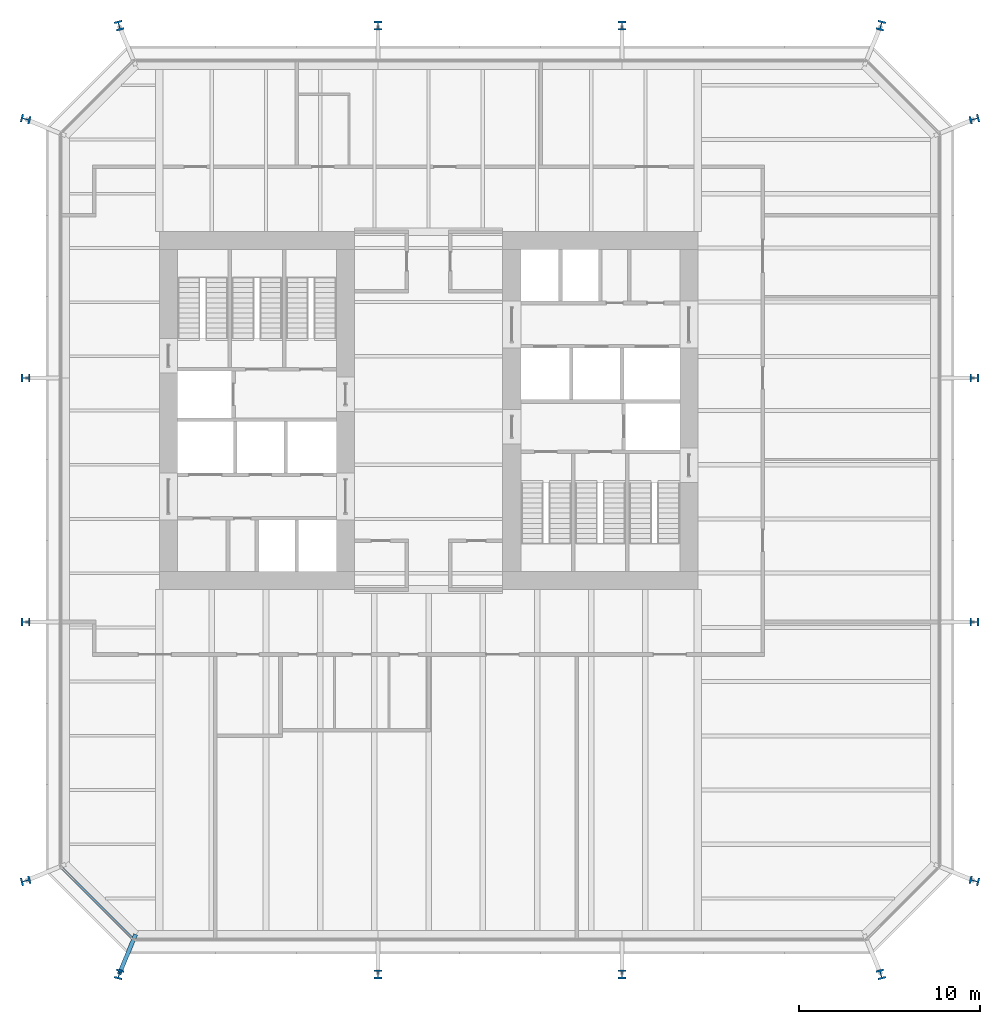
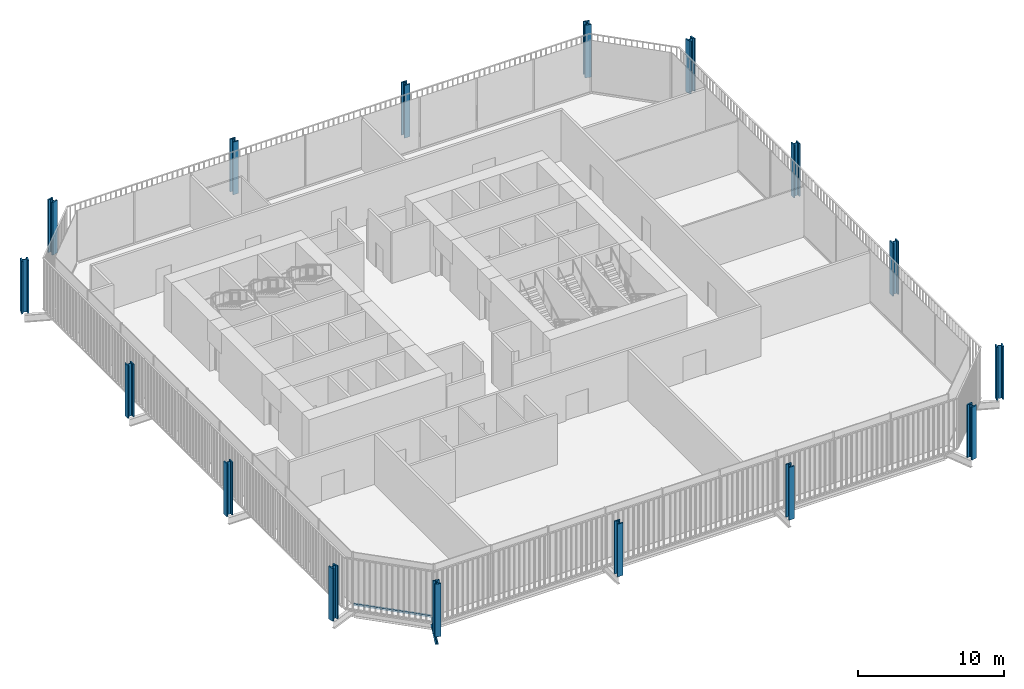
# One storey, part 1 of 20: 16 columns, 1 beam, 1 member, 1 element without a shape of its own.
"""IFC4 building model written with IfcOpenShell, lengths in metres."""

from ifc_helpers import new_model, si_unit, direction, frame, origin, origin_2d, place, context, subcontext, project, spatial, rectangle, i_section, extrude, material, layer, layer_set, material_profile, profile_set, type_object, element, aggregate, save


model = new_model("IFC4")

# Units and contexts
model_context = context("Model", 3, precision=1e-05, world=origin(), true_north=direction((0.0, 1.0)))
body_context = subcontext(model_context, "Body", "Model", "MODEL_VIEW")
ifc_project = project(units=[si_unit("LENGTHUNIT", "METRE"), si_unit("AREAUNIT", "SQUARE_METRE"), si_unit("VOLUMEUNIT", "CUBIC_METRE"), si_unit("PLANEANGLEUNIT", "RADIAN"), si_unit("MASSUNIT", "GRAM", prefix="KILO")], contexts=[model_context])

# Site, building, storey
site_placement = place(None, origin())
site = spatial("IfcSite", under=ifc_project, at=site_placement, CompositionType="ELEMENT")
building_placement = place(site_placement, origin())
building = spatial("IfcBuilding", under=site, at=building_placement, Name="Millrace Tower", CompositionType="ELEMENT")
storey_placement = place(building_placement, frame((0.0, 0.0, 86.39990234375)))
storey = spatial("IfcBuildingStorey", under=building, at=storey_placement, Name="L19", CompositionType="ELEMENT", Elevation=86.39990234375)

# Columns
ifc_material_1 = material(Name="Steel ASTM A913 Grade 65", Category="steel")
ifc_material_profile_1 = material_profile(ifc_material_1, i_section(OverallWidth=0.431884765625, OverallDepth=0.497802734375, WebThickness=0.0556640625, FlangeThickness=0.0888671875, FilletRadius=0.01513671875, at=origin_2d()))
ifc_profile_set_1 = profile_set([ifc_material_profile_1], Name="Steel ASTM A913 Grade 65")
column_type_1 = type_object("IfcColumnType", Name="Exoskeleton column W14x500", PredefinedType="COLUMN", material=ifc_profile_set_1)
for number, where, z_axis, x_axis, name in (
    (1, (-2.800048828125, -31.199951171875, 0.0), (0.0, 0.0, 1.0), (1.0, 0.0, 0.0), "COL-B-L19-X03"),
    (2, (10.699951171875, -31.199951171875, 0.0), (0.0, 0.0, 1.0), (1.0, 0.0, 0.0), "COL-B-L19-X04"),
    (3, (30.199951171875, -11.699951171875, 0.0), (0.0, 0.0, 1.0), (0.0, 1.0, 0.0), "COL-B-L19-X07"),
    (4, (30.199951171875, 1.800048828125, 0.0), (0.0, 0.0, 1.0), (0.0, 1.0, 0.0), "COL-B-L19-X08"),
    (5, (10.699951171875, 21.300048828125, 0.0), (0.0, 0.0, 1.0), (-1.0, 0.0, 0.0), "COL-B-L19-X11"),
    (6, (-2.800048828125, 21.300048828125, 0.0), (0.0, 0.0, 1.0), (-1.0, 0.0, 0.0), "COL-B-L19-X12"),
    (7, (-22.300048828125, 1.800048828125, 0.0), (0.0, 0.0, 1.0), (0.0, -1.0, 0.0), "COL-B-L19-X15"),
    (8, (-22.300048828125, -11.699951171875, 0.0), (0.0, 0.0, 1.0), (0.0, -1.0, 0.0), "COL-B-L19-X16"),
):
    element("IfcColumn", number, at=place(storey_placement, frame(where, z_axis=z_axis, x_axis=x_axis)), inside=storey, type_object=column_type_1, Name=name, PredefinedType="COLUMN", context=body_context, shape_type="SweptSolid", body=[
        extrude(i_section(OverallWidth=0.431884765625, OverallDepth=0.497802734375, WebThickness=0.0556640625, FlangeThickness=0.0888671875, FilletRadius=0.01513671875, at=origin_2d()), origin(), (0.0, 0.0, 1.0), 4.400146484375),
    ])
ifc_material_2 = material(Name="Steel ASTM A913 Grade 65", Category="steel")
ifc_material_profile_2 = material_profile(ifc_material_2, i_section(OverallWidth=0.44189453125, OverallDepth=0.53076171875, WebThickness=0.06591796875, FlangeThickness=0.105712890625, FilletRadius=0.01513671875, at=origin_2d()))
ifc_profile_set_2 = profile_set([ifc_material_profile_2], Name="Steel ASTM A913 Grade 65")
column_type_2 = type_object("IfcColumnType", Name="Exoskeleton column W14x605", PredefinedType="COLUMN", material=ifc_profile_set_2)
for number, where, z_axis, x_axis, name in (
    (9, (-22.300048828125, -26.0283203125, 0.0), (0.0, 0.0, 1.0), (0.256346878353, -0.966584852953, 0.0), "COL-B-L19-X01"),
    (10, (-17.12841796875, -31.199951171875, 0.0), (0.0, 0.0, 1.0), (0.966584852953, -0.256346878353, 0.0), "COL-B-L19-X02"),
    (11, (25.0283203125, -31.199951171875, 0.0), (0.0, 0.0, 1.0), (0.966584852953, 0.256346878353, 0.0), "COL-B-L19-X05"),
    (12, (30.199951171875, -26.0283203125, 0.0), (0.0, 0.0, 1.0), (0.256346878353, 0.966584852953, 0.0), "COL-B-L19-X06"),
    (13, (30.199951171875, 16.12841796875, 0.0), (0.0, 0.0, 1.0), (-0.256346878353, 0.966584852953, 0.0), "COL-B-L19-X09"),
    (14, (25.0283203125, 21.300048828125, 0.0), (0.0, 0.0, 1.0), (-0.966584852953, 0.256346878353, 0.0), "COL-B-L19-X10"),
    (15, (-17.12841796875, 21.300048828125, 0.0), (0.0, 0.0, 1.0), (-0.966584852953, -0.256346878353, 0.0), "COL-B-L19-X13"),
    (16, (-22.300048828125, 16.12841796875, 0.0), (0.0, 0.0, 1.0), (-0.256346878353, -0.966584852953, 0.0), "COL-B-L19-X14"),
):
    element("IfcColumn", number, at=place(storey_placement, frame(where, z_axis=z_axis, x_axis=x_axis)), inside=storey, type_object=column_type_2, Name=name, PredefinedType="COLUMN", context=body_context, shape_type="SweptSolid", body=[
        extrude(i_section(OverallWidth=0.44189453125, OverallDepth=0.53076171875, WebThickness=0.06591796875, FlangeThickness=0.105712890625, FilletRadius=0.01513671875, at=origin_2d()), origin(), (0.0, 0.0, 1.0), 4.400146484375),
    ])

# Curtain wall, member
ifc_material_3 = material(Name="Aluminium and glass", Category="aluminium")
ifc_layer = layer(ifc_material_3, 0.14990234375)
ifc_layer_set = layer_set([ifc_layer], Name="Aluminium and glass")
curtain_wall_type = type_object("IfcCurtainWallType", Name="CW-3 telecom floor curtain wall", PredefinedType="NOTDEFINED", material=ifc_layer_set)
curtain_wall_placement = place(storey_placement, origin())
curtain_wall = element("IfcCurtainWall", 17, at=curtain_wall_placement, inside=storey, type_object=curtain_wall_type, Name="Curtain wall B-F01 L19", PredefinedType="NOTDEFINED")
ifc_material_4 = material(Name="Aluminium", Category="aluminium")
ifc_material_profile_3 = material_profile(ifc_material_4, rectangle(XDim=0.14990234375, YDim=0.14990234375, at=origin_2d()))
ifc_profile_set_3 = profile_set([ifc_material_profile_3], Name="Aluminium")
member_type = type_object("IfcMemberType", Name="CW-3 telecom floor curtain wall transom", PredefinedType="USERDEFINED", material=ifc_profile_set_3)
member_placement = place(storey_placement, frame((-20.2822265625, -25.32373046875, 0.0751953125), z_axis=(0.707084410407, -0.707129151258, 0.0), x_axis=(0.707129151258, 0.707084410407, 0.0)))
member = element("IfcMember", 18, at=member_placement, type_object=member_type, Name="CW3 transom B-F01.1", ObjectType="TRANSOM", PredefinedType="USERDEFINED", context=body_context, shape_type="SweptSolid", body=[
    extrude(rectangle(XDim=0.14990234375, YDim=0.14990234375, at=origin_2d()), origin(), (0.0, 0.0, 1.0), 5.456787109375),
])
aggregate(curtain_wall, [member])

# Beam
ifc_material_5 = material(Name="Steel ASTM A992 Grade 50", Category="steel")
ifc_material_profile_4 = material_profile(ifc_material_5, i_section(OverallWidth=0.23046875, OverallDepth=0.6171875, WebThickness=0.01318359375, FlangeThickness=0.022216796875, FilletRadius=0.012939453125, at=origin_2d()))
ifc_profile_set_4 = profile_set([ifc_material_profile_4], Name="Steel ASTM A992 Grade 50")
beam_type = type_object("IfcBeamType", Name="Link beam W24x94", PredefinedType="BEAM", material=ifc_profile_set_4)
beam_placement = place(storey_placement, frame((-16.213134765625, -28.990478515625, -0.508544921875), z_axis=(-0.382715433277, -0.92386627665, 0.0), x_axis=(0.92386627665, -0.382715433277, 0.0)))
element("IfcBeam", 19, at=beam_placement, inside=storey, type_object=beam_type, Name="LNK-B-L19-S1-16", PredefinedType="BEAM", context=body_context, shape_type="SweptSolid", body=[
    extrude(i_section(OverallWidth=0.23046875, OverallDepth=0.6171875, WebThickness=0.01318359375, FlangeThickness=0.022216796875, FilletRadius=0.012939453125, at=origin_2d()), origin(), (0.0, 0.0, 1.0), 2.3916015625),
])

save(model, "model.ifc")
